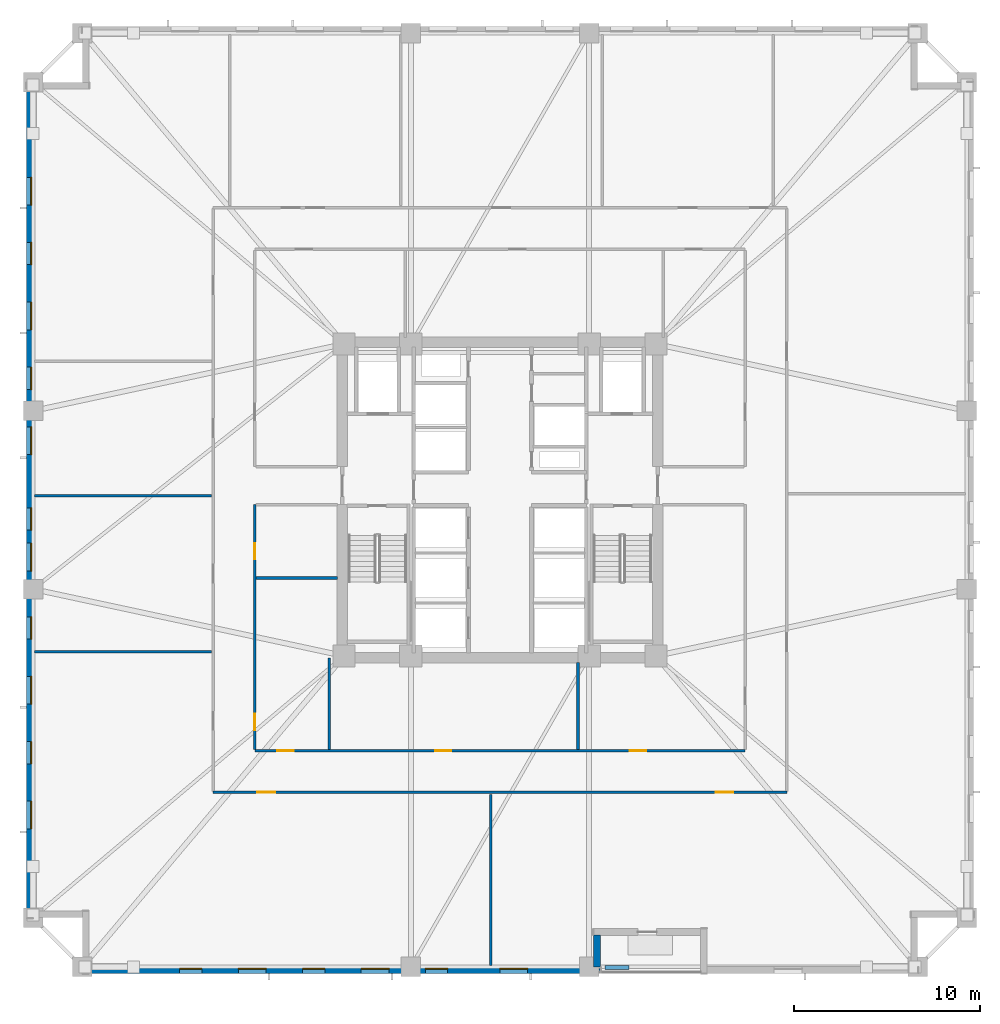
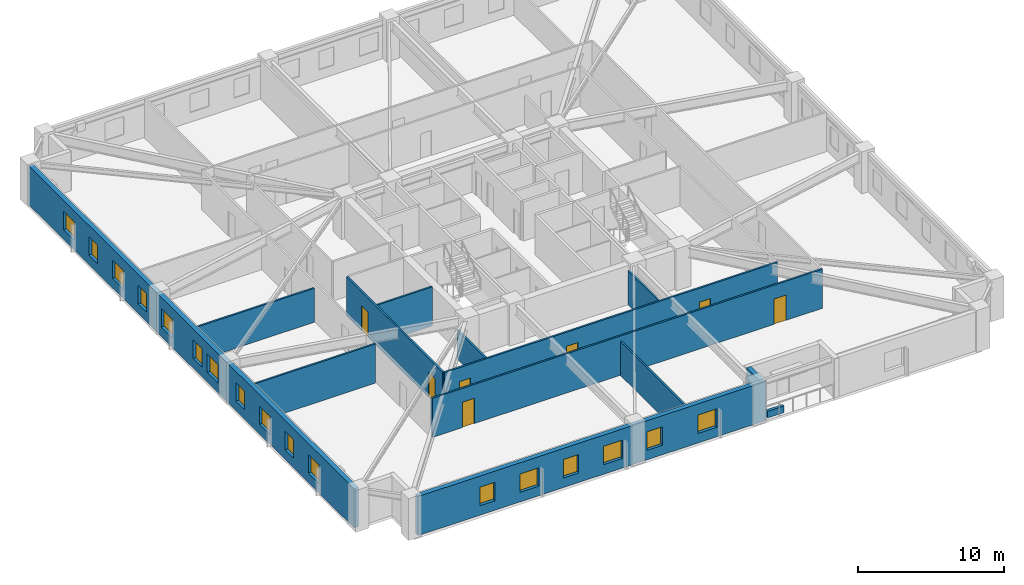
# One storey, part 2 of 11: 17 windows, 13 walls, 7 doors, 24 openings.
"""IFC4 building model written with IfcOpenShell, lengths in metres."""

from ifc_helpers import new_model, si_unit, direction, frame, frame_2d, origin, place, context, subcontext, project, spatial, rectangle, extrude, material, layer, layer_set, type_object, element, fill, save


model = new_model("IFC4")

# Units and contexts
model_context = context("Model", 3, precision=1e-05, world=origin(), true_north=direction((0.0, 1.0)))
body_context = subcontext(model_context, "Body", "Model", "MODEL_VIEW")
ifc_project = project(units=[si_unit("LENGTHUNIT", "METRE"), si_unit("AREAUNIT", "SQUARE_METRE"), si_unit("VOLUMEUNIT", "CUBIC_METRE"), si_unit("PLANEANGLEUNIT", "RADIAN"), si_unit("MASSUNIT", "GRAM", prefix="KILO")], contexts=[model_context])

# Site, building, storey
site_placement = place(None, origin())
site = spatial("IfcSite", under=ifc_project, at=site_placement, CompositionType="ELEMENT")
building_placement = place(site_placement, origin())
building = spatial("IfcBuilding", under=site, at=building_placement, Name="Cairnveth Concourse Tower", CompositionType="ELEMENT")
storey_placement = place(building_placement, frame((0.0, 0.0, 44.5)))
storey = spatial("IfcBuildingStorey", under=building, at=storey_placement, Name="L11", CompositionType="ELEMENT", Elevation=44.5)

# Wall, openings, doors
ifc_material_1 = material(Name="Gypsum Plasterboard Partition", Category="gypsum")
ifc_layer_1 = layer(ifc_material_1, 0.139892578125)
ifc_layer_set_1 = layer_set([ifc_layer_1], Name="Gypsum Plasterboard Partition")
wall_type_1 = type_object("IfcWallType", Name="GYPSUM STUD PARTITION 140", PredefinedType="PARTITIONING", material=ifc_layer_set_1)
wall_1_placement = place(storey_placement, frame((36.550048828125, 23.25, 0.0), z_axis=(0.0, 0.0, 1.0), x_axis=(1.0, 0.0, 0.0)))
wall_1 = element("IfcWall", 1, at=wall_1_placement, inside=storey, type_object=wall_type_1, Name="Interior Wall IW-L11-038", PredefinedType="PARTITIONING", context=body_context, shape_type="SweptSolid", body=[
    extrude(rectangle(XDim=30.89990234375, YDim=0.139892578125, at=frame_2d((15.449951171875, 0.0))), origin(), (0.0, 0.0, 1.0), 3.280029296875),
])
opening_1_placement = place(wall_1_placement, frame((2.38623046875, 0.0, 0.0)))
opening_1 = element("IfcOpeningElement", 2, at=opening_1_placement, cuts=wall_1, Name="Opening ID11", PredefinedType="OPENING", context=body_context, shape_type="SweptSolid", body=[
    extrude(rectangle(XDim=0.9599609375, YDim=2.1201171875, at=frame_2d((0.47998046875, 1.06005859375))), frame((0.0, 0.079833984375, 0.0), z_axis=(0.0, -1.0, 0.0), x_axis=(1.0, 0.0, 0.0)), (0.0, 0.0, 1.0), 0.159912109375),
])
opening_2_placement = place(wall_1_placement, frame((27.06640625, 0.0, 0.0)))
opening_2 = element("IfcOpeningElement", 3, at=opening_2_placement, cuts=wall_1, Name="Opening ID11", PredefinedType="OPENING", context=body_context, shape_type="SweptSolid", body=[
    extrude(rectangle(XDim=0.9599609375, YDim=2.1201171875, at=frame_2d((0.47998046875, 1.06005859375))), frame((0.0, 0.079833984375, 0.0), z_axis=(0.0, -1.0, 0.0), x_axis=(1.0, 0.0, 0.0)), (0.0, 0.0, 1.0), 0.159912109375),
])
ifc_material_2 = material(Name="Solid Core Hardwood Timber Leaf", Category="wood")
door_type_1 = type_object("IfcDoorType", Name="INTERIOR SINGLE DOOR 960X2150", OperationType="NOTDEFINED", PredefinedType="DOOR", material=ifc_material_2)
door_1_placement = place(opening_1_placement, origin())
door_1 = element("IfcDoor", 4, at=door_1_placement, inside=storey, type_object=door_type_1, Name="Office Door L11-S1", OperationType="SINGLE_SWING_LEFT", OverallHeight=2.1201171875, OverallWidth=0.9599609375, PredefinedType="DOOR", context=body_context, shape_type="SweptSolid", body=[
    extrude(rectangle(XDim=0.9599609375, YDim=2.1201171875, at=frame_2d((0.47998046875, 1.06005859375))), frame((0.0, 0.02490234375, 0.0), z_axis=(0.0, -1.0, 0.0), x_axis=(1.0, 0.0, 0.0)), (0.0, 0.0, 1.0), 0.050048828125),
])
fill(opening_1, door_1)
door_2_placement = place(opening_2_placement, origin())
door_2 = element("IfcDoor", 5, at=door_2_placement, inside=storey, type_object=door_type_1, Name="Office Door L11-S2", OperationType="SINGLE_SWING_RIGHT", OverallHeight=2.1201171875, OverallWidth=0.9599609375, PredefinedType="DOOR", context=body_context, shape_type="SweptSolid", body=[
    extrude(rectangle(XDim=0.9599609375, YDim=2.1201171875, at=frame_2d((0.47998046875, 1.06005859375))), frame((0.0, 0.02490234375, 0.0), z_axis=(0.0, -1.0, 0.0), x_axis=(1.0, 0.0, 0.0)), (0.0, 0.0, 1.0), 0.050048828125),
])
fill(opening_2, door_2)

wall_2_placement = place(storey_placement, frame((38.800048828125, 25.5, 0.0), z_axis=(0.0, 0.0, 1.0), x_axis=(1.0, 0.0, 0.0)))
wall_2 = element("IfcWall", 6, at=wall_2_placement, inside=storey, type_object=wall_type_1, Name="Interior Wall IW-L11-042", PredefinedType="PARTITIONING", context=body_context, shape_type="SweptSolid", body=[
    extrude(rectangle(XDim=26.39990234375, YDim=0.139892578125, at=frame_2d((13.199951171875, 0.0))), origin(), (0.0, 0.0, 1.0), 3.280029296875),
])
opening_3_placement = place(wall_2_placement, frame((1.199951171875, 0.0, 0.0)))
opening_3 = element("IfcOpeningElement", 7, at=opening_3_placement, cuts=wall_2, Name="Opening ID18", PredefinedType="OPENING", context=body_context, shape_type="SweptSolid", body=[
    extrude(rectangle(XDim=0.8798828125, YDim=2.10009765625, at=frame_2d((0.43994140625, 1.050048828125))), frame((0.0, 0.079833984375, 0.0), z_axis=(0.0, -1.0, 0.0), x_axis=(1.0, 0.0, 0.0)), (0.0, 0.0, 1.0), 0.159912109375),
])
opening_4_placement = place(wall_2_placement, frame((9.699951171875, 0.0, 0.0)))
opening_4 = element("IfcOpeningElement", 8, at=opening_4_placement, cuts=wall_2, Name="Opening ID18", PredefinedType="OPENING", context=body_context, shape_type="SweptSolid", body=[
    extrude(rectangle(XDim=0.8798828125, YDim=2.10009765625, at=frame_2d((0.43994140625, 1.050048828125))), frame((0.0, 0.079833984375, 0.0), z_axis=(0.0, -1.0, 0.0), x_axis=(1.0, 0.0, 0.0)), (0.0, 0.0, 1.0), 0.159912109375),
])
opening_5_placement = place(wall_2_placement, frame((20.199951171875, 0.0, 0.0)))
opening_5 = element("IfcOpeningElement", 9, at=opening_5_placement, cuts=wall_2, Name="Opening ID18", PredefinedType="OPENING", context=body_context, shape_type="SweptSolid", body=[
    extrude(rectangle(XDim=0.8798828125, YDim=2.10009765625, at=frame_2d((0.43994140625, 1.050048828125))), frame((0.0, 0.079833984375, 0.0), z_axis=(0.0, -1.0, 0.0), x_axis=(1.0, 0.0, 0.0)), (0.0, 0.0, 1.0), 0.159912109375),
])
door_type_2 = type_object("IfcDoorType", Name="INTERIOR SINGLE DOOR 880X2100", OperationType="NOTDEFINED", PredefinedType="DOOR", material=ifc_material_2)
door_3_placement = place(opening_3_placement, origin())
door_3 = element("IfcDoor", 10, at=door_3_placement, inside=storey, type_object=door_type_2, Name="Interior Door DR-L11-014", OperationType="SINGLE_SWING_RIGHT", OverallHeight=2.10009765625, OverallWidth=0.8798828125, PredefinedType="DOOR", context=body_context, shape_type="SweptSolid", body=[
    extrude(rectangle(XDim=0.8798828125, YDim=2.10009765625, at=frame_2d((0.43994140625, 1.050048828125))), frame((0.0, 0.02490234375, 0.0), z_axis=(0.0, -1.0, 0.0), x_axis=(1.0, 0.0, 0.0)), (0.0, 0.0, 1.0), 0.050048828125),
])
fill(opening_3, door_3)
door_4_placement = place(opening_4_placement, origin())
door_4 = element("IfcDoor", 11, at=door_4_placement, inside=storey, type_object=door_type_2, Name="Interior Door DR-L11-015", OperationType="SINGLE_SWING_LEFT", OverallHeight=2.10009765625, OverallWidth=0.8798828125, PredefinedType="DOOR", context=body_context, shape_type="SweptSolid", body=[
    extrude(rectangle(XDim=0.8798828125, YDim=2.10009765625, at=frame_2d((0.43994140625, 1.050048828125))), frame((0.0, 0.02490234375, 0.0), z_axis=(0.0, -1.0, 0.0), x_axis=(1.0, 0.0, 0.0)), (0.0, 0.0, 1.0), 0.050048828125),
])
fill(opening_4, door_4)
door_5_placement = place(opening_5_placement, origin())
door_5 = element("IfcDoor", 12, at=door_5_placement, inside=storey, type_object=door_type_2, Name="Interior Door DR-L11-016", OperationType="SINGLE_SWING_RIGHT", OverallHeight=2.10009765625, OverallWidth=0.8798828125, PredefinedType="DOOR", context=body_context, shape_type="SweptSolid", body=[
    extrude(rectangle(XDim=0.8798828125, YDim=2.10009765625, at=frame_2d((0.43994140625, 1.050048828125))), frame((0.0, 0.02490234375, 0.0), z_axis=(0.0, -1.0, 0.0), x_axis=(1.0, 0.0, 0.0)), (0.0, 0.0, 1.0), 0.050048828125),
])
fill(opening_5, door_5)

wall_3_placement = place(storey_placement, frame((38.800048828125, 25.554931640625, 0.0), z_axis=(0.0, 0.0, 1.0), x_axis=(0.0, 1.0, 0.0)))
wall_3 = element("IfcWall", 13, at=wall_3_placement, inside=storey, type_object=wall_type_1, Name="Interior Wall IW-L11-044", PredefinedType="PARTITIONING", context=body_context, shape_type="SweptSolid", body=[
    extrude(rectangle(XDim=13.195068359375, YDim=0.139892578125, at=frame_2d((6.59765625, 0.0))), origin(), (0.0, 0.0, 1.0), 3.280029296875),
])
opening_6_placement = place(wall_3_placement, frame((1.044921875, 0.0, 0.0)))
opening_6 = element("IfcOpeningElement", 14, at=opening_6_placement, cuts=wall_3, Name="Opening ID18", PredefinedType="OPENING", context=body_context, shape_type="SweptSolid", body=[
    extrude(rectangle(XDim=0.8798828125, YDim=2.10009765625, at=frame_2d((0.43994140625, 1.050048828125))), frame((0.0, 0.079833984375, 0.0), z_axis=(0.0, -1.0, 0.0), x_axis=(1.0, 0.0, 0.0)), (0.0, 0.0, 1.0), 0.159912109375),
])
opening_7_placement = place(wall_3_placement, frame((10.2451171875, 0.0, 0.0)))
opening_7 = element("IfcOpeningElement", 15, at=opening_7_placement, cuts=wall_3, Name="Opening ID18", PredefinedType="OPENING", context=body_context, shape_type="SweptSolid", body=[
    extrude(rectangle(XDim=0.8798828125, YDim=2.10009765625, at=frame_2d((0.43994140625, 1.050048828125))), frame((0.0, 0.079833984375, 0.0), z_axis=(0.0, -1.0, 0.0), x_axis=(1.0, 0.0, 0.0)), (0.0, 0.0, 1.0), 0.159912109375),
])
door_6_placement = place(opening_6_placement, origin())
door_6 = element("IfcDoor", 16, at=door_6_placement, inside=storey, type_object=door_type_2, Name="Interior Door DR-L11-020", OperationType="SINGLE_SWING_RIGHT", OverallHeight=2.10009765625, OverallWidth=0.8798828125, PredefinedType="DOOR", context=body_context, shape_type="SweptSolid", body=[
    extrude(rectangle(XDim=0.8798828125, YDim=2.10009765625, at=frame_2d((0.43994140625, 1.050048828125))), frame((0.0, 0.02490234375, 0.0), z_axis=(0.0, -1.0, 0.0), x_axis=(1.0, 0.0, 0.0)), (0.0, 0.0, 1.0), 0.050048828125),
])
fill(opening_6, door_6)
door_7_placement = place(opening_7_placement, origin())
door_7 = element("IfcDoor", 17, at=door_7_placement, inside=storey, type_object=door_type_2, Name="Interior Door DR-L11-021", OperationType="SINGLE_SWING_LEFT", OverallHeight=2.10009765625, OverallWidth=0.8798828125, PredefinedType="DOOR", context=body_context, shape_type="SweptSolid", body=[
    extrude(rectangle(XDim=0.8798828125, YDim=2.10009765625, at=frame_2d((0.43994140625, 1.050048828125))), frame((0.0, 0.02490234375, 0.0), z_axis=(0.0, -1.0, 0.0), x_axis=(1.0, 0.0, 0.0)), (0.0, 0.0, 1.0), 0.050048828125),
])
fill(opening_7, door_7)

# Walls
wall_4_placement = place(storey_placement, frame((42.800048828125, 25.554931640625, 0.0), z_axis=(0.0, 0.0, 1.0), x_axis=(0.0, 1.0, 0.0)))
element("IfcWall", 18, at=wall_4_placement, inside=storey, type_object=wall_type_1, Name="Interior Wall IW-L11-052", PredefinedType="PARTITIONING", context=body_context, shape_type="SweptSolid", body=[
    extrude(rectangle(XDim=4.945068359375, YDim=0.139892578125, at=frame_2d((2.47265625, 0.0))), origin(), (0.0, 0.0, 1.0), 2.43896484375),
])
wall_5_placement = place(storey_placement, frame((56.199951171875, 25.554931640625, 0.0), z_axis=(0.0, 0.0, 1.0), x_axis=(0.0, 1.0, 0.0)))
element("IfcWall", 19, at=wall_5_placement, inside=storey, type_object=wall_type_1, Name="Interior Wall IW-L11-053", PredefinedType="PARTITIONING", context=body_context, shape_type="SweptSolid", body=[
    extrude(rectangle(XDim=4.68505859375, YDim=0.139892578125, at=frame_2d((2.342529296875, 0.0))), origin(), (0.0, 0.0, 1.0), 2.84912109375),
])
wall_6_placement = place(storey_placement, frame((38.85498046875, 34.800048828125, 0.0), z_axis=(0.0, 0.0, 1.0), x_axis=(1.0, 0.0, 0.0)))
element("IfcWall", 20, at=wall_6_placement, inside=storey, type_object=wall_type_1, Name="Interior Wall IW-L11-056", PredefinedType="PARTITIONING", context=body_context, shape_type="SweptSolid", body=[
    extrude(rectangle(XDim=4.385009765625, YDim=0.139892578125, at=frame_2d((2.1923828125, 0.0))), origin(), (0.0, 0.0, 1.0), 3.280029296875),
])
wall_7_placement = place(storey_placement, frame((51.512451171875, 13.919921875, 0.0), z_axis=(0.0, 0.0, 1.0), x_axis=(0.0, 1.0, 0.0)))
element("IfcWall", 21, at=wall_7_placement, inside=storey, type_object=wall_type_1, Name="Interior Wall IW-L11-057", PredefinedType="PARTITIONING", context=body_context, shape_type="SweptSolid", body=[
    extrude(rectangle(XDim=9.22998046875, YDim=0.139892578125, at=frame_2d((4.614990234375, 0.0))), origin(), (0.0, 0.0, 1.0), 2.84912109375),
])
wall_8_placement = place(storey_placement, frame((26.919921875, 30.833740234375, 0.0), z_axis=(0.0, 0.0, 1.0), x_axis=(1.0, 0.0, 0.0)))
element("IfcWall", 22, at=wall_8_placement, inside=storey, type_object=wall_type_1, Name="Interior Wall IW-L11-062", PredefinedType="PARTITIONING", context=body_context, shape_type="SweptSolid", body=[
    extrude(rectangle(XDim=9.530029296875, YDim=0.139892578125, at=frame_2d((4.76513671875, 0.0))), origin(), (0.0, 0.0, 1.0), 3.280029296875),
])
wall_9_placement = place(storey_placement, frame((26.919921875, 39.236083984375, 0.0), z_axis=(0.0, 0.0, 1.0), x_axis=(1.0, 0.0, 0.0)))
element("IfcWall", 23, at=wall_9_placement, inside=storey, type_object=wall_type_1, Name="Interior Wall IW-L11-063", PredefinedType="PARTITIONING", context=body_context, shape_type="SweptSolid", body=[
    extrude(rectangle(XDim=9.530029296875, YDim=0.139892578125, at=frame_2d((4.76513671875, 0.0))), origin(), (0.0, 0.0, 1.0), 2.84912109375),
])
ifc_material_3 = material(Name="Dressed Melbourne Bluestone Cladding", Category="masonry")
ifc_layer_2 = layer(ifc_material_3, 0.219970703125)
ifc_layer_set_2 = layer_set([ifc_layer_2], Name="Dressed Melbourne Bluestone Cladding")
wall_type_2 = type_object("IfcWallType", Name="TERRACE PLANTER CURB WALL 220", PredefinedType="PARAPET", material=ifc_layer_set_2)
wall_10_placement = place(storey_placement, frame((57.64990234375, 13.820068359375, 0.0), z_axis=(0.0, 0.0, 1.0), x_axis=(1.0, 0.0, 0.0)))
element("IfcWall", 24, at=wall_10_placement, inside=storey, type_object=wall_type_2, Name="Exterior Wall PLNT-L11-TERR", PredefinedType="PARAPET", context=body_context, shape_type="SweptSolid", body=[
    extrude(rectangle(XDim=1.300048828125, YDim=0.219970703125, at=frame_2d((0.64990234375, 0.0))), origin(), (0.0, 0.0, 1.0), 0.550048828125),
])

# Wall, openings, windows
ifc_material_4 = material(Name="Hawthorn Red-Ochre Fired Clay Brick Masonry", Category="masonry")
ifc_layer_3 = layer(ifc_material_4, 0.360107421875)
ifc_layer_set_3 = layer_set([ifc_layer_3], Name="Hawthorn Red-Ochre Fired Clay Brick Masonry")
wall_type_3 = type_object("IfcWallType", Name="ZONE 1 BRICK PIER SPANDREL WALL 360", PredefinedType="SOLIDWALL", material=ifc_layer_set_3)
wall_11_placement = place(storey_placement, frame((57.39990234375, 13.679931640625, 0.0), z_axis=(0.0, 0.0, 1.0), x_axis=(-1.0, 0.0, 0.0)))
wall_11 = element("IfcWall", 25, at=wall_11_placement, inside=storey, type_object=wall_type_3, Name="Exterior Wall EW-L11-S00", PredefinedType="SOLIDWALL", context=body_context, shape_type="SweptSolid", body=[
    extrude(rectangle(XDim=27.56201171875, YDim=0.360107421875, at=frame_2d((13.781005859375, 0.0))), origin(), (0.0, 0.0, 1.0), 3.280029296875),
])
opening_8_placement = place(wall_11_placement, frame((3.9052734375, 0.0, 0.800048828125)))
opening_8 = element("IfcOpeningElement", 26, at=opening_8_placement, cuts=wall_11, Name="Opening W03", PredefinedType="OPENING", context=body_context, shape_type="SweptSolid", body=[
    extrude(rectangle(XDim=1.5, YDim=1.5439453125, at=frame_2d((0.75, 0.77197265625))), frame((0.0, 0.18994140625, 0.0), z_axis=(0.0, -1.0, 0.0), x_axis=(1.0, 0.0, 0.0)), (0.0, 0.0, 1.0), 0.380126953125),
])
opening_9_placement = place(wall_11_placement, frame((8.215576171875, 0.0, 0.800048828125)))
opening_9 = element("IfcOpeningElement", 27, at=opening_9_placement, cuts=wall_11, Name="Opening W01", PredefinedType="OPENING", context=body_context, shape_type="SweptSolid", body=[
    extrude(rectangle(XDim=1.199951171875, YDim=1.5439453125, at=frame_2d((0.60009765625, 0.77197265625))), frame((0.0, 0.18994140625, 0.0), z_axis=(0.0, -1.0, 0.0), x_axis=(1.0, 0.0, 0.0)), (0.0, 0.0, 1.0), 0.380126953125),
])
opening_10_placement = place(wall_11_placement, frame((11.375732421875, 0.0, 0.800048828125)))
opening_10 = element("IfcOpeningElement", 28, at=opening_10_placement, cuts=wall_11, Name="Opening W03", PredefinedType="OPENING", context=body_context, shape_type="SweptSolid", body=[
    extrude(rectangle(XDim=1.5, YDim=1.5439453125, at=frame_2d((0.75, 0.77197265625))), frame((0.0, 0.18994140625, 0.0), z_axis=(0.0, -1.0, 0.0), x_axis=(1.0, 0.0, 0.0)), (0.0, 0.0, 1.0), 0.380126953125),
])
opening_11_placement = place(wall_11_placement, frame((14.836181640625, 0.0, 0.800048828125)))
opening_11 = element("IfcOpeningElement", 29, at=opening_11_placement, cuts=wall_11, Name="Opening W01", PredefinedType="OPENING", context=body_context, shape_type="SweptSolid", body=[
    extrude(rectangle(XDim=1.199951171875, YDim=1.5439453125, at=frame_2d((0.60009765625, 0.77197265625))), frame((0.0, 0.18994140625, 0.0), z_axis=(0.0, -1.0, 0.0), x_axis=(1.0, 0.0, 0.0)), (0.0, 0.0, 1.0), 0.380126953125),
])
opening_12_placement = place(wall_11_placement, frame((17.99658203125, 0.0, 0.800048828125)))
opening_12 = element("IfcOpeningElement", 30, at=opening_12_placement, cuts=wall_11, Name="Opening W03", PredefinedType="OPENING", context=body_context, shape_type="SweptSolid", body=[
    extrude(rectangle(XDim=1.5, YDim=1.5439453125, at=frame_2d((0.75, 0.77197265625))), frame((0.0, 0.18994140625, 0.0), z_axis=(0.0, -1.0, 0.0), x_axis=(1.0, 0.0, 0.0)), (0.0, 0.0, 1.0), 0.380126953125),
])
opening_13_placement = place(wall_11_placement, frame((21.456787109375, 0.0, 0.800048828125)))
opening_13 = element("IfcOpeningElement", 31, at=opening_13_placement, cuts=wall_11, Name="Opening W01", PredefinedType="OPENING", context=body_context, shape_type="SweptSolid", body=[
    extrude(rectangle(XDim=1.199951171875, YDim=1.5439453125, at=frame_2d((0.60009765625, 0.77197265625))), frame((0.0, 0.18994140625, 0.0), z_axis=(0.0, -1.0, 0.0), x_axis=(1.0, 0.0, 0.0)), (0.0, 0.0, 1.0), 0.380126953125),
])
ifc_material_5 = material(Name="Double Glazed Low-E Clear Glass", Category="glass")
window_type_1 = type_object("IfcWindowType", Name="DEEP-SET GOTHIC LANCET WINDOW 1200X1800", PartitioningType="DOUBLE_PANEL_VERTICAL", PredefinedType="WINDOW", material=ifc_material_5)
window_1_placement = place(opening_9_placement, origin())
window_1 = element("IfcWindow", 32, at=window_1_placement, inside=storey, type_object=window_type_1, Name="Gothic Lancet Window L11-0-2", OverallHeight=1.5439453125, OverallWidth=1.199951171875, PartitioningType="SINGLE_PANEL", PredefinedType="WINDOW", context=body_context, shape_type="SweptSolid", body=[
    extrude(rectangle(XDim=1.199951171875, YDim=1.5439453125, at=frame_2d((0.60009765625, 0.77197265625))), frame((0.0, -0.050048828125, 0.0), z_axis=(0.0, -1.0, 0.0), x_axis=(1.0, 0.0, 0.0)), (0.0, 0.0, 1.0), 0.06005859375),
])
fill(opening_9, window_1)
window_2_placement = place(opening_11_placement, origin())
window_2 = element("IfcWindow", 33, at=window_2_placement, inside=storey, type_object=window_type_1, Name="Gothic Lancet Window L11-0-4", OverallHeight=1.5439453125, OverallWidth=1.199951171875, PartitioningType="SINGLE_PANEL", PredefinedType="WINDOW", context=body_context, shape_type="SweptSolid", body=[
    extrude(rectangle(XDim=1.199951171875, YDim=1.5439453125, at=frame_2d((0.60009765625, 0.77197265625))), frame((0.0, -0.050048828125, 0.0), z_axis=(0.0, -1.0, 0.0), x_axis=(1.0, 0.0, 0.0)), (0.0, 0.0, 1.0), 0.06005859375),
])
fill(opening_11, window_2)
window_3_placement = place(opening_13_placement, origin())
window_3 = element("IfcWindow", 34, at=window_3_placement, inside=storey, type_object=window_type_1, Name="Gothic Lancet Window L11-0-6", OverallHeight=1.5439453125, OverallWidth=1.199951171875, PartitioningType="SINGLE_PANEL", PredefinedType="WINDOW", context=body_context, shape_type="SweptSolid", body=[
    extrude(rectangle(XDim=1.199951171875, YDim=1.5439453125, at=frame_2d((0.60009765625, 0.77197265625))), frame((0.0, -0.050048828125, 0.0), z_axis=(0.0, -1.0, 0.0), x_axis=(1.0, 0.0, 0.0)), (0.0, 0.0, 1.0), 0.06005859375),
])
fill(opening_13, window_3)
window_type_2 = type_object("IfcWindowType", Name="DEEP-SET GOTHIC LANCET WINDOW 1500X1800", PartitioningType="DOUBLE_PANEL_VERTICAL", PredefinedType="WINDOW", material=ifc_material_5)
window_4_placement = place(opening_8_placement, origin())
window_4 = element("IfcWindow", 35, at=window_4_placement, inside=storey, type_object=window_type_2, Name="Gothic Lancet Window L11-0-1", OverallHeight=1.5439453125, OverallWidth=1.5, PartitioningType="SINGLE_PANEL", PredefinedType="WINDOW", context=body_context, shape_type="SweptSolid", body=[
    extrude(rectangle(XDim=1.5, YDim=1.5439453125, at=frame_2d((0.75, 0.77197265625))), frame((0.0, -0.050048828125, 0.0), z_axis=(0.0, -1.0, 0.0), x_axis=(1.0, 0.0, 0.0)), (0.0, 0.0, 1.0), 0.06005859375),
])
fill(opening_8, window_4)
window_5_placement = place(opening_10_placement, origin())
window_5 = element("IfcWindow", 36, at=window_5_placement, inside=storey, type_object=window_type_2, Name="Gothic Lancet Window L11-0-3", OverallHeight=1.5439453125, OverallWidth=1.5, PartitioningType="SINGLE_PANEL", PredefinedType="WINDOW", context=body_context, shape_type="SweptSolid", body=[
    extrude(rectangle(XDim=1.5, YDim=1.5439453125, at=frame_2d((0.75, 0.77197265625))), frame((0.0, -0.050048828125, 0.0), z_axis=(0.0, -1.0, 0.0), x_axis=(1.0, 0.0, 0.0)), (0.0, 0.0, 1.0), 0.06005859375),
])
fill(opening_10, window_5)
window_6_placement = place(opening_12_placement, origin())
window_6 = element("IfcWindow", 37, at=window_6_placement, inside=storey, type_object=window_type_2, Name="Gothic Lancet Window L11-0-5", OverallHeight=1.5439453125, OverallWidth=1.5, PartitioningType="SINGLE_PANEL", PredefinedType="WINDOW", context=body_context, shape_type="SweptSolid", body=[
    extrude(rectangle(XDim=1.5, YDim=1.5439453125, at=frame_2d((0.75, 0.77197265625))), frame((0.0, -0.050048828125, 0.0), z_axis=(0.0, -1.0, 0.0), x_axis=(1.0, 0.0, 0.0)), (0.0, 0.0, 1.0), 0.06005859375),
])
fill(opening_12, window_6)

wall_12_placement = place(storey_placement, frame((26.679931640625, 16.5, 0.0), z_axis=(0.0, 0.0, 1.0), x_axis=(0.0, 1.0, 0.0)))
wall_12 = element("IfcWall", 38, at=wall_12_placement, inside=storey, type_object=wall_type_3, Name="Exterior Wall EW-L11-S03", PredefinedType="SOLIDWALL", context=body_context, shape_type="SweptSolid", body=[
    extrude(rectangle(XDim=44.662109375, YDim=0.360107421875, at=frame_2d((22.3310546875, 0.0))), origin(), (0.0, 0.0, 1.0), 3.280029296875),
])
opening_14_placement = place(wall_12_placement, frame((4.780029296875, 0.0, 0.800048828125)))
opening_14 = element("IfcOpeningElement", 39, at=opening_14_placement, cuts=wall_12, Name="Opening W03", PredefinedType="OPENING", context=body_context, shape_type="SweptSolid", body=[
    extrude(rectangle(XDim=1.5, YDim=1.5439453125, at=frame_2d((0.75, 0.77197265625))), frame((0.0, 0.18994140625, 0.0), z_axis=(0.0, -1.0, 0.0), x_axis=(1.0, 0.0, 0.0)), (0.0, 0.0, 1.0), 0.380126953125),
])
opening_15_placement = place(wall_12_placement, frame((8.290283203125, 0.0, 0.800048828125)))
opening_15 = element("IfcOpeningElement", 40, at=opening_15_placement, cuts=wall_12, Name="Opening W01", PredefinedType="OPENING", context=body_context, shape_type="SweptSolid", body=[
    extrude(rectangle(XDim=1.199951171875, YDim=1.5439453125, at=frame_2d((0.60009765625, 0.77197265625))), frame((0.0, 0.18994140625, 0.0), z_axis=(0.0, -1.0, 0.0), x_axis=(1.0, 0.0, 0.0)), (0.0, 0.0, 1.0), 0.380126953125),
])
opening_16_placement = place(wall_12_placement, frame((11.50048828125, 0.0, 0.800048828125)))
opening_16 = element("IfcOpeningElement", 41, at=opening_16_placement, cuts=wall_12, Name="Opening W03", PredefinedType="OPENING", context=body_context, shape_type="SweptSolid", body=[
    extrude(rectangle(XDim=1.5, YDim=1.5439453125, at=frame_2d((0.75, 0.77197265625))), frame((0.0, 0.18994140625, 0.0), z_axis=(0.0, -1.0, 0.0), x_axis=(1.0, 0.0, 0.0)), (0.0, 0.0, 1.0), 0.380126953125),
])
opening_17_placement = place(wall_12_placement, frame((15.010498046875, 0.0, 0.800048828125)))
opening_17 = element("IfcOpeningElement", 42, at=opening_17_placement, cuts=wall_12, Name="Opening W01", PredefinedType="OPENING", context=body_context, shape_type="SweptSolid", body=[
    extrude(rectangle(XDim=1.199951171875, YDim=1.5439453125, at=frame_2d((0.60009765625, 0.77197265625))), frame((0.0, 0.18994140625, 0.0), z_axis=(0.0, -1.0, 0.0), x_axis=(1.0, 0.0, 0.0)), (0.0, 0.0, 1.0), 0.380126953125),
])
opening_18_placement = place(wall_12_placement, frame((18.6708984375, 0.0, 0.800048828125)))
opening_18 = element("IfcOpeningElement", 43, at=opening_18_placement, cuts=wall_12, Name="Opening W03", PredefinedType="OPENING", context=body_context, shape_type="SweptSolid", body=[
    extrude(rectangle(XDim=1.5, YDim=1.5439453125, at=frame_2d((0.75, 0.77197265625))), frame((0.0, 0.18994140625, 0.0), z_axis=(0.0, -1.0, 0.0), x_axis=(1.0, 0.0, 0.0)), (0.0, 0.0, 1.0), 0.380126953125),
])
opening_19_placement = place(wall_12_placement, frame((20.881103515625, 0.0, 0.800048828125)))
opening_19 = element("IfcOpeningElement", 44, at=opening_19_placement, cuts=wall_12, Name="Opening W01", PredefinedType="OPENING", context=body_context, shape_type="SweptSolid", body=[
    extrude(rectangle(XDim=1.199951171875, YDim=1.5439453125, at=frame_2d((0.60009765625, 0.77197265625))), frame((0.0, 0.18994140625, 0.0), z_axis=(0.0, -1.0, 0.0), x_axis=(1.0, 0.0, 0.0)), (0.0, 0.0, 1.0), 0.380126953125),
])
opening_20_placement = place(wall_12_placement, frame((24.941162109375, 0.0, 0.800048828125)))
opening_20 = element("IfcOpeningElement", 45, at=opening_20_placement, cuts=wall_12, Name="Opening W03", PredefinedType="OPENING", context=body_context, shape_type="SweptSolid", body=[
    extrude(rectangle(XDim=1.5, YDim=1.5439453125, at=frame_2d((0.75, 0.77197265625))), frame((0.0, 0.18994140625, 0.0), z_axis=(0.0, -1.0, 0.0), x_axis=(1.0, 0.0, 0.0)), (0.0, 0.0, 1.0), 0.380126953125),
])
opening_21_placement = place(wall_12_placement, frame((28.451416015625, 0.0, 0.800048828125)))
opening_21 = element("IfcOpeningElement", 46, at=opening_21_placement, cuts=wall_12, Name="Opening W01", PredefinedType="OPENING", context=body_context, shape_type="SweptSolid", body=[
    extrude(rectangle(XDim=1.199951171875, YDim=1.5439453125, at=frame_2d((0.60009765625, 0.77197265625))), frame((0.0, 0.18994140625, 0.0), z_axis=(0.0, -1.0, 0.0), x_axis=(1.0, 0.0, 0.0)), (0.0, 0.0, 1.0), 0.380126953125),
])
opening_22_placement = place(wall_12_placement, frame((31.66162109375, 0.0, 0.800048828125)))
opening_22 = element("IfcOpeningElement", 47, at=opening_22_placement, cuts=wall_12, Name="Opening W03", PredefinedType="OPENING", context=body_context, shape_type="SweptSolid", body=[
    extrude(rectangle(XDim=1.5, YDim=1.5439453125, at=frame_2d((0.75, 0.77197265625))), frame((0.0, 0.18994140625, 0.0), z_axis=(0.0, -1.0, 0.0), x_axis=(1.0, 0.0, 0.0)), (0.0, 0.0, 1.0), 0.380126953125),
])
opening_23_placement = place(wall_12_placement, frame((35.171630859375, 0.0, 0.800048828125)))
opening_23 = element("IfcOpeningElement", 48, at=opening_23_placement, cuts=wall_12, Name="Opening W01", PredefinedType="OPENING", context=body_context, shape_type="SweptSolid", body=[
    extrude(rectangle(XDim=1.199951171875, YDim=1.5439453125, at=frame_2d((0.60009765625, 0.77197265625))), frame((0.0, 0.18994140625, 0.0), z_axis=(0.0, -1.0, 0.0), x_axis=(1.0, 0.0, 0.0)), (0.0, 0.0, 1.0), 0.380126953125),
])
opening_24_placement = place(wall_12_placement, frame((38.3818359375, 0.0, 0.800048828125)))
opening_24 = element("IfcOpeningElement", 49, at=opening_24_placement, cuts=wall_12, Name="Opening W03", PredefinedType="OPENING", context=body_context, shape_type="SweptSolid", body=[
    extrude(rectangle(XDim=1.5, YDim=1.5439453125, at=frame_2d((0.75, 0.77197265625))), frame((0.0, 0.18994140625, 0.0), z_axis=(0.0, -1.0, 0.0), x_axis=(1.0, 0.0, 0.0)), (0.0, 0.0, 1.0), 0.380126953125),
])
window_7_placement = place(opening_15_placement, origin())
window_7 = element("IfcWindow", 50, at=window_7_placement, inside=storey, type_object=window_type_1, Name="Gothic Lancet Window L11-3-2", OverallHeight=1.5439453125, OverallWidth=1.199951171875, PartitioningType="SINGLE_PANEL", PredefinedType="WINDOW", context=body_context, shape_type="SweptSolid", body=[
    extrude(rectangle(XDim=1.199951171875, YDim=1.5439453125, at=frame_2d((0.60009765625, 0.77197265625))), frame((0.0, -0.050048828125, 0.0), z_axis=(0.0, -1.0, 0.0), x_axis=(1.0, 0.0, 0.0)), (0.0, 0.0, 1.0), 0.06005859375),
])
fill(opening_15, window_7)
window_8_placement = place(opening_17_placement, origin())
window_8 = element("IfcWindow", 51, at=window_8_placement, inside=storey, type_object=window_type_1, Name="Gothic Lancet Window L11-3-4", OverallHeight=1.5439453125, OverallWidth=1.199951171875, PartitioningType="SINGLE_PANEL", PredefinedType="WINDOW", context=body_context, shape_type="SweptSolid", body=[
    extrude(rectangle(XDim=1.199951171875, YDim=1.5439453125, at=frame_2d((0.60009765625, 0.77197265625))), frame((0.0, -0.050048828125, 0.0), z_axis=(0.0, -1.0, 0.0), x_axis=(1.0, 0.0, 0.0)), (0.0, 0.0, 1.0), 0.06005859375),
])
fill(opening_17, window_8)
window_9_placement = place(opening_19_placement, origin())
window_9 = element("IfcWindow", 52, at=window_9_placement, inside=storey, type_object=window_type_1, Name="Gothic Lancet Window L11-3-6", OverallHeight=1.5439453125, OverallWidth=1.199951171875, PartitioningType="SINGLE_PANEL", PredefinedType="WINDOW", context=body_context, shape_type="SweptSolid", body=[
    extrude(rectangle(XDim=1.199951171875, YDim=1.5439453125, at=frame_2d((0.60009765625, 0.77197265625))), frame((0.0, -0.050048828125, 0.0), z_axis=(0.0, -1.0, 0.0), x_axis=(1.0, 0.0, 0.0)), (0.0, 0.0, 1.0), 0.06005859375),
])
fill(opening_19, window_9)
window_10_placement = place(opening_21_placement, origin())
window_10 = element("IfcWindow", 53, at=window_10_placement, inside=storey, type_object=window_type_1, Name="Gothic Lancet Window L11-3-8", OverallHeight=1.5439453125, OverallWidth=1.199951171875, PartitioningType="SINGLE_PANEL", PredefinedType="WINDOW", context=body_context, shape_type="SweptSolid", body=[
    extrude(rectangle(XDim=1.199951171875, YDim=1.5439453125, at=frame_2d((0.60009765625, 0.77197265625))), frame((0.0, -0.050048828125, 0.0), z_axis=(0.0, -1.0, 0.0), x_axis=(1.0, 0.0, 0.0)), (0.0, 0.0, 1.0), 0.06005859375),
])
fill(opening_21, window_10)
window_11_placement = place(opening_23_placement, origin())
window_11 = element("IfcWindow", 54, at=window_11_placement, inside=storey, type_object=window_type_1, Name="Gothic Lancet Window L11-3-10", OverallHeight=1.5439453125, OverallWidth=1.199951171875, PartitioningType="SINGLE_PANEL", PredefinedType="WINDOW", context=body_context, shape_type="SweptSolid", body=[
    extrude(rectangle(XDim=1.199951171875, YDim=1.5439453125, at=frame_2d((0.60009765625, 0.77197265625))), frame((0.0, -0.050048828125, 0.0), z_axis=(0.0, -1.0, 0.0), x_axis=(1.0, 0.0, 0.0)), (0.0, 0.0, 1.0), 0.06005859375),
])
fill(opening_23, window_11)
window_12_placement = place(opening_14_placement, origin())
window_12 = element("IfcWindow", 55, at=window_12_placement, inside=storey, type_object=window_type_2, Name="Gothic Lancet Window L11-3-1", OverallHeight=1.5439453125, OverallWidth=1.5, PartitioningType="SINGLE_PANEL", PredefinedType="WINDOW", context=body_context, shape_type="SweptSolid", body=[
    extrude(rectangle(XDim=1.5, YDim=1.5439453125, at=frame_2d((0.75, 0.77197265625))), frame((0.0, -0.050048828125, 0.0), z_axis=(0.0, -1.0, 0.0), x_axis=(1.0, 0.0, 0.0)), (0.0, 0.0, 1.0), 0.06005859375),
])
fill(opening_14, window_12)
window_13_placement = place(opening_16_placement, origin())
window_13 = element("IfcWindow", 56, at=window_13_placement, inside=storey, type_object=window_type_2, Name="Gothic Lancet Window L11-3-3", OverallHeight=1.5439453125, OverallWidth=1.5, PartitioningType="SINGLE_PANEL", PredefinedType="WINDOW", context=body_context, shape_type="SweptSolid", body=[
    extrude(rectangle(XDim=1.5, YDim=1.5439453125, at=frame_2d((0.75, 0.77197265625))), frame((0.0, -0.050048828125, 0.0), z_axis=(0.0, -1.0, 0.0), x_axis=(1.0, 0.0, 0.0)), (0.0, 0.0, 1.0), 0.06005859375),
])
fill(opening_16, window_13)
window_14_placement = place(opening_18_placement, origin())
window_14 = element("IfcWindow", 57, at=window_14_placement, inside=storey, type_object=window_type_2, Name="Gothic Lancet Window L11-3-5", OverallHeight=1.5439453125, OverallWidth=1.5, PartitioningType="SINGLE_PANEL", PredefinedType="WINDOW", context=body_context, shape_type="SweptSolid", body=[
    extrude(rectangle(XDim=1.5, YDim=1.5439453125, at=frame_2d((0.75, 0.77197265625))), frame((0.0, -0.050048828125, 0.0), z_axis=(0.0, -1.0, 0.0), x_axis=(1.0, 0.0, 0.0)), (0.0, 0.0, 1.0), 0.06005859375),
])
fill(opening_18, window_14)
window_15_placement = place(opening_20_placement, origin())
window_15 = element("IfcWindow", 58, at=window_15_placement, inside=storey, type_object=window_type_2, Name="Gothic Lancet Window L11-3-7", OverallHeight=1.5439453125, OverallWidth=1.5, PartitioningType="SINGLE_PANEL", PredefinedType="WINDOW", context=body_context, shape_type="SweptSolid", body=[
    extrude(rectangle(XDim=1.5, YDim=1.5439453125, at=frame_2d((0.75, 0.77197265625))), frame((0.0, -0.050048828125, 0.0), z_axis=(0.0, -1.0, 0.0), x_axis=(1.0, 0.0, 0.0)), (0.0, 0.0, 1.0), 0.06005859375),
])
fill(opening_20, window_15)
window_16_placement = place(opening_22_placement, origin())
window_16 = element("IfcWindow", 59, at=window_16_placement, inside=storey, type_object=window_type_2, Name="Gothic Lancet Window L11-3-9", OverallHeight=1.5439453125, OverallWidth=1.5, PartitioningType="SINGLE_PANEL", PredefinedType="WINDOW", context=body_context, shape_type="SweptSolid", body=[
    extrude(rectangle(XDim=1.5, YDim=1.5439453125, at=frame_2d((0.75, 0.77197265625))), frame((0.0, -0.050048828125, 0.0), z_axis=(0.0, -1.0, 0.0), x_axis=(1.0, 0.0, 0.0)), (0.0, 0.0, 1.0), 0.06005859375),
])
fill(opening_22, window_16)
window_17_placement = place(opening_24_placement, origin())
window_17 = element("IfcWindow", 60, at=window_17_placement, inside=storey, type_object=window_type_2, Name="Gothic Lancet Window L11-3-11", OverallHeight=1.5439453125, OverallWidth=1.5, PartitioningType="SINGLE_PANEL", PredefinedType="WINDOW", context=body_context, shape_type="SweptSolid", body=[
    extrude(rectangle(XDim=1.5, YDim=1.5439453125, at=frame_2d((0.75, 0.77197265625))), frame((0.0, -0.050048828125, 0.0), z_axis=(0.0, -1.0, 0.0), x_axis=(1.0, 0.0, 0.0)), (0.0, 0.0, 1.0), 0.06005859375),
])
fill(opening_24, window_17)

# Wall
wall_13_placement = place(storey_placement, frame((57.219970703125, 15.572021484375, 0.0), z_axis=(0.0, 0.0, 1.0), x_axis=(0.0, -1.0, 0.0)))
element("IfcWall", 61, at=wall_13_placement, inside=storey, type_object=wall_type_3, Name="Exterior Wall EW-L11-S15", PredefinedType="SOLIDWALL", context=body_context, shape_type="SweptSolid", body=[
    extrude(rectangle(XDim=1.734130859375, YDim=0.360107421875, at=frame_2d((0.8671875, 0.0))), origin(), (0.0, 0.0, 1.0), 3.280029296875),
])

save(model, "model.ifc")
